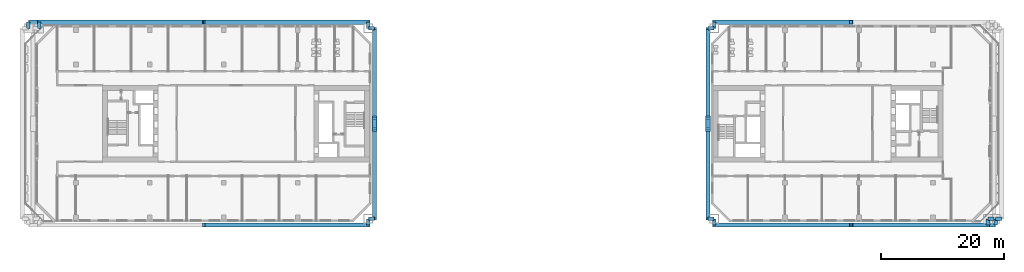
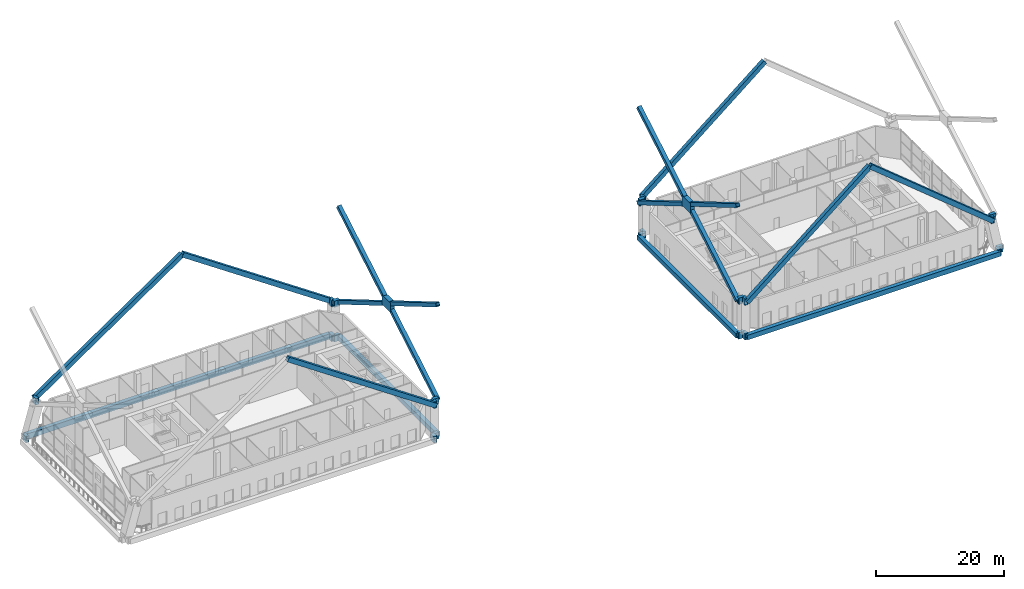
# One storey, part 5 of 20: 26 beams, 16 members.
"""IFC4 building model written with IfcOpenShell, lengths in metres."""

from ifc_helpers import new_model, si_unit, direction, frame, origin, origin_2d, place, context, subcontext, project, spatial, rectangle, hollow_rectangle, extrude, material, material_profile, profile_set, type_object, element, save


model = new_model("IFC4")

# Units and contexts
model_context = context("Model", 3, precision=1e-05, world=origin(), true_north=direction((0.0, 1.0)))
body_context = subcontext(model_context, "Body", "Model", "MODEL_VIEW")
ifc_project = project(units=[si_unit("LENGTHUNIT", "METRE"), si_unit("AREAUNIT", "SQUARE_METRE"), si_unit("VOLUMEUNIT", "CUBIC_METRE"), si_unit("PLANEANGLEUNIT", "RADIAN"), si_unit("MASSUNIT", "GRAM", prefix="KILO")], contexts=[model_context])

# Site, building, storey
site_placement = place(None, origin())
site = spatial("IfcSite", under=ifc_project, at=site_placement, CompositionType="ELEMENT")
building_placement = place(site_placement, origin())
building = spatial("IfcBuilding", under=site, at=building_placement, Name="Tuart Gate Housing", CompositionType="ELEMENT")
storey_placement = place(building_placement, frame((0.0, 0.0, 38.10009765625)))
storey = spatial("IfcBuildingStorey", under=building, at=storey_placement, Name="L10", CompositionType="ELEMENT", Elevation=38.10009765625)

# Members
ifc_material_1 = material(Name="Steel Grade 350", Category="steel")
ifc_material_profile_1 = material_profile(ifc_material_1, rectangle(XDim=2.537109375, YDim=1.864013671875, at=origin_2d()), Name="Brace node plate 2537 x 1864")
ifc_profile_set_1 = profile_set([ifc_material_profile_1], Name="Steel Grade 350")
member_type_1 = type_object("IfcMemberType", Name="Brace node plate 2537 x 1864", PredefinedType="PLATE", material=ifc_profile_set_1)
for number, where, z_axis, x_axis, name in (
    (1, (76.06494140625, 70.0, 15.2998046875), (1.0, 0.0, 0.0), (0.0, 1.0, 0.0), "Brace node A zone 2 east"),
    (2, (130.1650390625, 70.0, 15.2998046875), (1.0, 0.0, 0.0), (0.0, 1.0, 0.0), "Brace node B zone 2 west"),
):
    element("IfcMember", number, at=place(storey_placement, frame(where, z_axis=z_axis, x_axis=x_axis)), inside=storey, type_object=member_type_1, Name=name, PredefinedType="PLATE", context=body_context, shape_type="SweptSolid", body=[
        extrude(rectangle(XDim=2.537109375, YDim=1.864013671875, at=origin_2d()), origin(), (0.0, 0.0, 1.0), 0.77001953125),
    ])

# Beams
ifc_material_2 = material(Name="Steel Grade 350", Category="steel")
ifc_material_profile_2 = material_profile(ifc_material_2, hollow_rectangle(XDim=0.60009765625, YDim=1.199951171875, WallThickness=0.0400390625, at=origin_2d()), Name="BOX 1200x600x40")
ifc_profile_set_2 = profile_set([ifc_material_profile_2], Name="Steel Grade 350")
beam_type_1 = type_object("IfcBeamType", Name="Brace shoe BOX 1200x600x40", PredefinedType="BEAM", material=ifc_profile_set_2)
for number, where, z_axis, x_axis, name in (
    (3, (75.449951171875, 54.550048828125, -0.400146484375), (0.0, -1.0, 0.0), (1.0, 0.0, 0.0), "Mega tie beam A node 1 south shoe 1 L10"),
    (4, (20.300048828125, 85.449951171875, -0.400146484375), (0.0, 1.0, 0.0), (-1.0, 0.0, 0.0), "Mega tie beam A node 1 north shoe 0 L10"),
    (5, (75.449951171875, 85.449951171875, -0.400146484375), (0.0, 1.0, 0.0), (-1.0, 0.0, 0.0), "Mega tie beam A node 1 north shoe 1 L10"),
    (6, (75.449951171875, 54.550048828125, -0.400146484375), (1.0, 0.0, 0.0), (0.0, 1.0, 0.0), "Mega tie beam A node 1 east shoe 0 L10"),
    (7, (75.449951171875, 85.449951171875, -0.400146484375), (1.0, 0.0, 0.0), (0.0, 1.0, 0.0), "Mega tie beam A node 1 east shoe 1 L10"),
    (8, (75.449951171875, 54.550048828125, 6.199951171875), (0.0, -1.0, 0.0), (1.0, 0.0, 0.0), "Mega brace shoe A zone 2 south chevron 2"),
    (9, (22.050048828125, 85.449951171875, 6.199951171875), (0.0, 1.0, 0.0), (-1.0, 0.0, 0.0), "Mega brace shoe A zone 2 north chevron 1"),
    (10, (75.449951171875, 85.449951171875, 6.199951171875), (0.0, 1.0, 0.0), (-1.0, 0.0, 0.0), "Mega brace shoe A zone 2 north chevron 2"),
    (11, (75.449951171875, 54.550048828125, 6.199951171875), (1.0, 0.0, 0.0), (0.0, 1.0, 0.0), "Mega brace shoe A zone 2 east cross 1"),
    (12, (75.449951171875, 85.449951171875, 6.199951171875), (1.0, 0.0, 0.0), (0.0, 1.0, 0.0), "Mega brace shoe A zone 2 east cross 2"),
    (13, (131.550048828125, 54.550048828125, -0.400146484375), (0.0, -1.0, 0.0), (1.0, 0.0, 0.0), "Mega tie beam B node 1 south shoe 0 L10"),
    (14, (177.199951171875, 54.550048828125, -0.400146484375), (0.0, -1.0, 0.0), (1.0, 0.0, 0.0), "Mega tie beam B node 1 south shoe 1 L10"),
    (15, (131.550048828125, 85.449951171875, -0.400146484375), (0.0, 1.0, 0.0), (-1.0, 0.0, 0.0), "Mega tie beam B node 1 north shoe 0 L10"),
    (16, (177.199951171875, 54.550048828125, -0.400146484375), (1.0, 0.0, 0.0), (0.0, 1.0, 0.0), "Mega tie beam B node 1 east shoe 0 L10"),
    (17, (131.550048828125, 54.550048828125, -0.400146484375), (-1.0, 0.0, 0.0), (0.0, -1.0, 0.0), "Mega tie beam B node 1 west shoe 0 L10"),
    (18, (131.550048828125, 85.449951171875, -0.400146484375), (-1.0, 0.0, 0.0), (0.0, -1.0, 0.0), "Mega tie beam B node 1 west shoe 1 L10"),
    (19, (131.550048828125, 54.550048828125, 6.199951171875), (0.0, -1.0, 0.0), (1.0, 0.0, 0.0), "Mega brace shoe B zone 2 south chevron 1"),
    (20, (175.949951171875, 54.550048828125, 6.199951171875), (0.0, -1.0, 0.0), (1.0, 0.0, 0.0), "Mega brace shoe B zone 2 south chevron 2"),
    (21, (131.550048828125, 85.449951171875, 6.199951171875), (0.0, 1.0, 0.0), (-1.0, 0.0, 0.0), "Mega brace shoe B zone 2 north chevron 1"),
    (22, (175.949951171875, 54.550048828125, 6.199951171875), (1.0, 0.0, 0.0), (0.0, 1.0, 0.0), "Mega brace shoe B zone 2 east cross 1"),
    (23, (131.550048828125, 54.550048828125, 6.199951171875), (-1.0, 0.0, 0.0), (0.0, -1.0, 0.0), "Mega brace shoe B zone 2 west cross 1"),
    (24, (131.550048828125, 85.449951171875, 6.199951171875), (-1.0, 0.0, 0.0), (0.0, -1.0, 0.0), "Mega brace shoe B zone 2 west cross 2"),
):
    element("IfcBeam", number, at=place(storey_placement, frame(where, z_axis=z_axis, x_axis=x_axis)), inside=storey, type_object=beam_type_1, Name=name, PredefinedType="BEAM", context=body_context, shape_type="SweptSolid", body=[
        extrude(hollow_rectangle(XDim=0.60009765625, YDim=1.199951171875, WallThickness=0.0400390625, at=origin_2d()), origin(), (0.0, 0.0, 1.0), 1.0),
    ])

# Members
ifc_material_3 = material(Name="Steel Grade 350", Category="steel")
ifc_material_profile_3 = material_profile(ifc_material_3, hollow_rectangle(XDim=0.679931640625, YDim=0.679931640625, WallThickness=0.033935546875, at=origin_2d()), Name="BOX 680x680x34")
ifc_profile_set_3 = profile_set([ifc_material_profile_3], Name="Steel Grade 350")
member_type_2 = type_object("IfcMemberType", Name="Mega brace BOX 680x680x34", PredefinedType="BRACE", material=ifc_profile_set_3)
for number, where, z_axis, x_axis, name in (
    (25, (76.449951171875, 54.550048828125, 6.199951171875), (0.0, 0.861644676374, 0.507512021214), (-1.0, 0.0, 0.0), "Mega brace A zone 2 east cross 1 a"),
    (26, (76.449951171875, 70.818603515625, 15.781982421875), (0.0, 0.861644676374, 0.507512021214), (-1.0, 0.0, 0.0), "Mega brace A zone 2 east cross 1 b"),
    (27, (76.449951171875, 85.449951171875, 6.199951171875), (0.0, -0.861644676374, 0.507512021214), (1.0, 0.0, 0.0), "Mega brace A zone 2 east cross 2 a"),
    (28, (76.449951171875, 69.181396484375, 15.781982421875), (0.0, -0.861644676374, 0.507512021214), (1.0, 0.0, 0.0), "Mega brace A zone 2 east cross 2 b"),
    (29, (130.550048828125, 54.550048828125, 6.199951171875), (0.0, 0.861644676374, 0.507512021214), (-1.0, 0.0, 0.0), "Mega brace B zone 2 west cross 1 a"),
    (30, (130.550048828125, 70.818603515625, 15.781982421875), (0.0, 0.861644676374, 0.507512021214), (-1.0, 0.0, 0.0), "Mega brace B zone 2 west cross 1 b"),
    (31, (130.550048828125, 85.449951171875, 6.199951171875), (0.0, -0.861644676374, 0.507512021214), (1.0, 0.0, 0.0), "Mega brace B zone 2 west cross 2 a"),
    (32, (130.550048828125, 69.181396484375, 15.781982421875), (0.0, -0.861644676374, 0.507512021214), (1.0, 0.0, 0.0), "Mega brace B zone 2 west cross 2 b"),
):
    element("IfcMember", number, at=place(storey_placement, frame(where, z_axis=z_axis, x_axis=x_axis)), inside=storey, type_object=member_type_2, Name=name, PredefinedType="BRACE", context=body_context, shape_type="SweptSolid", body=[
        extrude(hollow_rectangle(XDim=0.679931640625, YDim=0.679931640625, WallThickness=0.033935546875, at=origin_2d()), origin(), (0.0, 0.0, 1.0), 16.980712890625),
    ])
ifc_material_4 = material(Name="Steel Grade 350", Category="steel")
ifc_material_profile_4 = material_profile(ifc_material_4, hollow_rectangle(XDim=0.679931640625, YDim=0.85009765625, WallThickness=0.0419921875, at=origin_2d()), Name="BOX 850x680x42")
ifc_profile_set_4 = profile_set([ifc_material_profile_4], Name="Steel Grade 350")
member_type_3 = type_object("IfcMemberType", Name="Mega brace BOX 850x680x42", PredefinedType="BRACE", material=ifc_profile_set_4)
for number, where, z_axis, x_axis, name in (
    (33, (75.449951171875, 53.550048828125, 6.199951171875), (-0.826293034943, 0.0, 0.563240464105), (0.0, -1.0, 0.0), "Mega brace A zone 2 south chevron 2"),
    (34, (22.050048828125, 86.449951171875, 6.199951171875), (0.826293034943, 0.0, 0.563240464105), (0.0, 1.0, 0.0), "Mega brace A zone 2 north chevron 1"),
    (35, (75.449951171875, 86.449951171875, 6.199951171875), (-0.826293034943, 0.0, 0.563240464105), (0.0, -1.0, 0.0), "Mega brace A zone 2 north chevron 2"),
):
    element("IfcMember", number, at=place(storey_placement, frame(where, z_axis=z_axis, x_axis=x_axis)), inside=storey, type_object=member_type_3, Name=name, PredefinedType="BRACE", context=body_context, shape_type="SweptSolid", body=[
        extrude(hollow_rectangle(XDim=0.679931640625, YDim=0.85009765625, WallThickness=0.0419921875, at=origin_2d()), origin(), (0.0, 0.0, 1.0), 32.31298828125),
    ])
for number, where, z_axis, x_axis, name in (
    (36, (131.550048828125, 53.550048828125, 6.199951171875), (0.773336256449, 0.0, 0.633996083948), (0.0, 1.0, 0.0), "Mega brace B zone 2 south chevron 1"),
    (37, (175.949951171875, 53.550048828125, 6.199951171875), (-0.773336256449, 0.0, 0.633996083948), (0.0, -1.0, 0.0), "Mega brace B zone 2 south chevron 2"),
    (38, (131.550048828125, 86.449951171875, 6.199951171875), (0.773336256449, 0.0, 0.633996083948), (0.0, 1.0, 0.0), "Mega brace B zone 2 north chevron 1"),
):
    element("IfcMember", number, at=place(storey_placement, frame(where, z_axis=z_axis, x_axis=x_axis)), inside=storey, type_object=member_type_3, Name=name, PredefinedType="BRACE", context=body_context, shape_type="SweptSolid", body=[
        extrude(hollow_rectangle(XDim=0.679931640625, YDim=0.85009765625, WallThickness=0.0419921875, at=origin_2d()), origin(), (0.0, 0.0, 1.0), 28.706787109375),
    ])

# Beams
ifc_material_5 = material(Name="Steel Grade 350", Category="steel")
ifc_material_profile_5 = material_profile(ifc_material_5, hollow_rectangle(XDim=0.699951171875, YDim=1.0, WallThickness=0.0439453125, at=origin_2d()), Name="BOX 1000x700x44")
ifc_profile_set_5 = profile_set([ifc_material_profile_5], Name="Steel Grade 350")
beam_type_2 = type_object("IfcBeamType", Name="Tie beam BOX 1000x700x44", PredefinedType="BEAM", material=ifc_profile_set_5)
beam_1_placement = place(storey_placement, frame((20.300048828125, 86.449951171875, -0.400146484375), z_axis=(1.0, 0.0, 0.0), x_axis=(0.0, 1.0, 0.0)))
element("IfcBeam", 39, at=beam_1_placement, inside=storey, type_object=beam_type_2, Name="Mega tie beam A node 1 north L10", PredefinedType="BEAM", context=body_context, shape_type="SweptSolid", body=[
    extrude(hollow_rectangle(XDim=0.699951171875, YDim=1.0, WallThickness=0.0439453125, at=origin_2d()), origin(), (0.0, 0.0, 1.0), 55.14990234375),
])
ifc_material_6 = material(Name="Steel Grade 350", Category="steel")
ifc_material_profile_6 = material_profile(ifc_material_6, hollow_rectangle(XDim=0.699951171875, YDim=0.89990234375, WallThickness=0.0400390625, at=origin_2d()), Name="BOX 900x700x40")
ifc_profile_set_6 = profile_set([ifc_material_profile_6], Name="Steel Grade 350")
beam_type_3 = type_object("IfcBeamType", Name="Tie beam BOX 900x700x40", PredefinedType="BEAM", material=ifc_profile_set_6)
for number, where, z_axis, x_axis, name in (
    (40, (76.449951171875, 54.550048828125, -0.400146484375), (0.0, 1.0, 0.0), (-1.0, 0.0, 0.0), "Mega tie beam A node 1 east L10"),
    (41, (130.550048828125, 54.550048828125, -0.400146484375), (0.0, 1.0, 0.0), (-1.0, 0.0, 0.0), "Mega tie beam B node 1 west L10"),
):
    element("IfcBeam", number, at=place(storey_placement, frame(where, z_axis=z_axis, x_axis=x_axis)), inside=storey, type_object=beam_type_3, Name=name, PredefinedType="BEAM", context=body_context, shape_type="SweptSolid", body=[
        extrude(hollow_rectangle(XDim=0.699951171875, YDim=0.89990234375, WallThickness=0.0400390625, at=origin_2d()), origin(), (0.0, 0.0, 1.0), 30.89990234375),
    ])
ifc_material_7 = material(Name="Steel Grade 350", Category="steel")
ifc_material_profile_7 = material_profile(ifc_material_7, hollow_rectangle(XDim=0.699951171875, YDim=0.89990234375, WallThickness=0.0400390625, at=origin_2d()), Name="BOX 900x700x40")
ifc_profile_set_7 = profile_set([ifc_material_profile_7], Name="Steel Grade 350")
beam_type_4 = type_object("IfcBeamType", Name="Tie beam BOX 900x700x40 (40.6-51.7 m)", PredefinedType="BEAM", material=ifc_profile_set_7)
beam_2_placement = place(storey_placement, frame((131.550048828125, 53.550048828125, -0.400146484375), z_axis=(1.0, 0.0, 0.0), x_axis=(0.0, 1.0, 0.0)))
element("IfcBeam", 42, at=beam_2_placement, inside=storey, type_object=beam_type_4, Name="Mega tie beam B node 1 south L10", PredefinedType="BEAM", context=body_context, shape_type="SweptSolid", body=[
    extrude(hollow_rectangle(XDim=0.699951171875, YDim=0.89990234375, WallThickness=0.0400390625, at=origin_2d()), origin(), (0.0, 0.0, 1.0), 45.64990234375),
])

save(model, "model.ifc")
